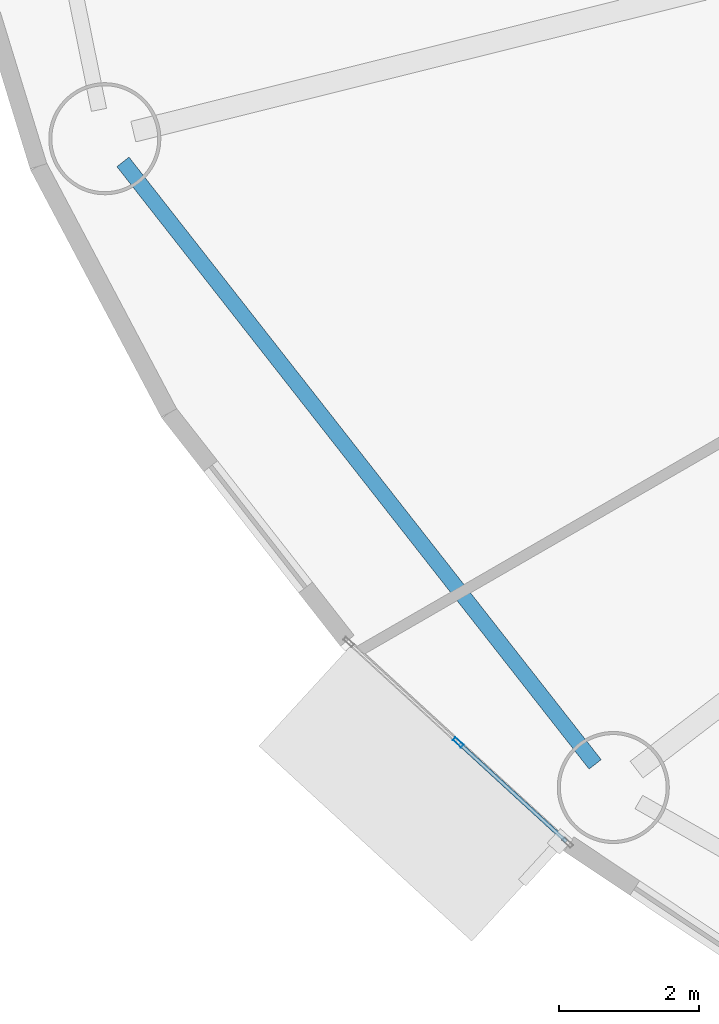
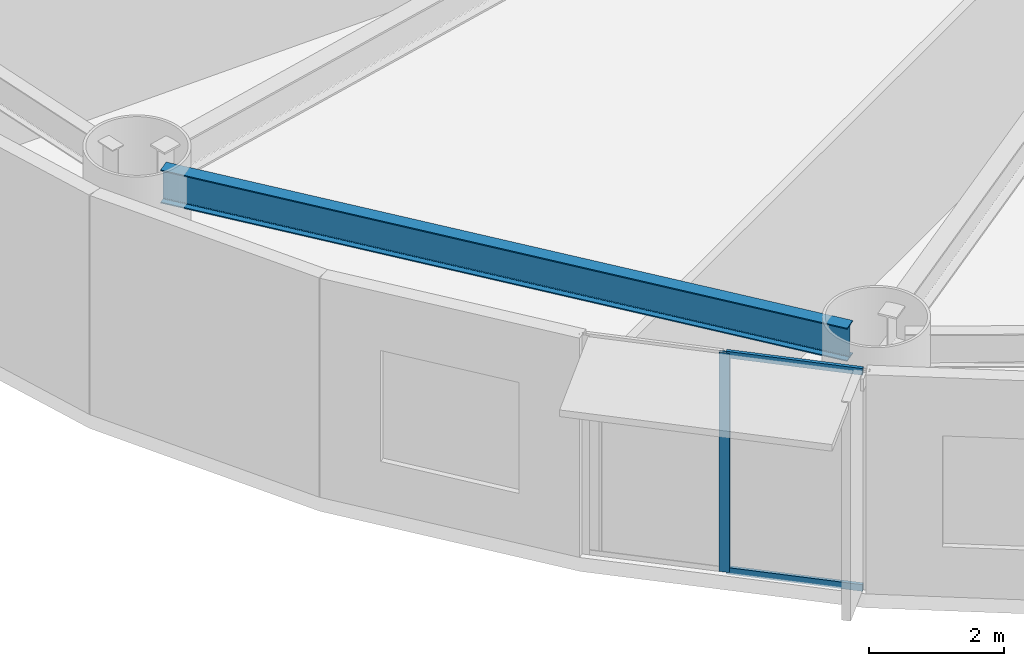
# One storey, part 5 of 28: 3 members, 1 beam, 1 element without a shape of its own.
"""IFC4 building model written with IfcOpenShell, lengths in metres."""

import ifcopenshell
import ifcopenshell.guid

model = None  # the IFC model being written
_history = None  # IfcOwnerHistory: only IFC2X3 demands one
_inside = {}  # id of a spatial element -> (the spatial element, [elements in it])
_under = {}  # id of a project, library or spatial element -> (it, [spatial elements below it])
_declared = {}  # id of a project -> (the project, [libraries it declares])
_typed = {}  # id of a type object -> (the type object, [elements of that type])
_made_of = {}  # id of a material, layer set ... -> (it, [elements and type objects made of it])


def new_model(schema):
    """Start an empty IFC model of exactly this schema.

    Asked for "IFC4X3", IfcOpenShell would pick the latest addendum, in which some entities
    have other attributes; the version numbers below select the first issue.
    IFC2X3 requires an IfcOwnerHistory on every rooted entity: one is made here for all.
    """
    global model, _history
    if schema == "IFC4X3":
        model = ifcopenshell.file(schema_version=(4, 3, 0, 0))
    else:
        model = ifcopenshell.file(schema=schema)
    _inside.clear()
    _under.clear()
    _declared.clear()
    _typed.clear()
    _made_of.clear()
    _history = None
    if model.schema == "IFC2X3":
        org = make("IfcOrganization", Name="unknown")
        user = make(
            "IfcPersonAndOrganization",
            ThePerson=make("IfcPerson", FamilyName="unknown"),
            TheOrganization=org,
        )
        app = make(
            "IfcApplication",
            ApplicationDeveloper=org,
            Version="unknown",
            ApplicationFullName="unknown",
            ApplicationIdentifier="unknown",
        )
        _history = make(
            "IfcOwnerHistory",
            OwningUser=user,
            OwningApplication=app,
            ChangeAction="ADDED",
            CreationDate=0,
        )
    return model


def make(cls, **values):
    """One entity of the class cls with the attributes given. An attribute that is None is left unset."""
    return model.create_entity(
        cls, **{name: value for name, value in values.items() if value is not None}
    )


def rooted(cls, **values):
    """An entity with a GlobalId (a new one), such as an element, a storey or a relation."""
    return make(cls, GlobalId=ifcopenshell.guid.new(), OwnerHistory=_history, **values)


def si_unit(unit_type, name, prefix=None):
    """IfcSIUnit, for example si_unit("LENGTHUNIT", "METRE", prefix="MILLI")."""
    return make("IfcSIUnit", UnitType=unit_type, Prefix=prefix, Name=name)


def assignment(units):
    """IfcUnitAssignment: the units of a project."""
    return None if units is None else make("IfcUnitAssignment", Units=units)


def point(xyz):
    """IfcCartesianPoint."""
    return None if xyz is None else make("IfcCartesianPoint", Coordinates=xyz)


def direction(xyz):
    """IfcDirection."""
    return None if xyz is None else make("IfcDirection", DirectionRatios=xyz)


def frame(location, z_axis=None, x_axis=None):
    """IfcAxis2Placement3D, a coordinate frame: its origin and axes. An axis left out is left unset."""
    return make(
        "IfcAxis2Placement3D",
        Location=point(location),
        Axis=direction(z_axis),
        RefDirection=direction(x_axis),
    )


def frame_2d(location, x_axis=None):
    """IfcAxis2Placement2D, a coordinate frame in the plane: its origin and x axis."""
    return make(
        "IfcAxis2Placement2D", Location=point(location), RefDirection=direction(x_axis)
    )


def origin():
    """The frame at (0, 0, 0) with its axes left unset."""
    return frame((0.0, 0.0, 0.0))


def origin_2d():
    """The frame at (0, 0) in the plane with its x axis left unset."""
    return frame_2d((0.0, 0.0))


def place(relative_to, where):
    """IfcLocalPlacement: puts the frame where relative to a parent placement (None: the world)."""
    return make(
        "IfcLocalPlacement", PlacementRelTo=relative_to, RelativePlacement=where
    )


def context(
    kind, dimensions, precision=None, world=None, true_north=None, identifier=None
):
    """IfcGeometricRepresentationContext, for example the 3D "Model" context."""
    return make(
        "IfcGeometricRepresentationContext",
        ContextIdentifier=identifier,
        ContextType=kind,
        CoordinateSpaceDimension=dimensions,
        Precision=precision,
        WorldCoordinateSystem=world,
        TrueNorth=true_north,
    )


def subcontext(parent, identifier, kind, view, scale=None):
    """IfcGeometricRepresentationSubContext, for example "Body" below "Model"."""
    return make(
        "IfcGeometricRepresentationSubContext",
        ContextIdentifier=identifier,
        ContextType=kind,
        ParentContext=parent,
        TargetScale=scale,
        TargetView=view,
    )


def project(units=None, contexts=None):
    """IfcProject with its units and contexts."""
    return rooted(
        "IfcProject",
        Name="project",
        RepresentationContexts=contexts,
        UnitsInContext=assignment(units),
    )


def spatial(cls, under=None, at=None, **own):
    """A site, building, storey or space (cls), placed at a placement, below another one or the project."""
    s = rooted(cls, ObjectPlacement=at, **own)
    if under is not None:
        _under.setdefault(under.id(), (under, []))[1].append(s)
    return s


def profile(cls, at=None, kind="AREA", **sizes):
    """A parametric profile (cls). Its sizes go by their IFC names, for example OverallWidth=200.0."""
    return make(cls, ProfileType=kind, Position=at, **sizes)


def hollow_rectangle(**sizes):
    """IfcRectangleHollowProfileDef."""
    return profile("IfcRectangleHollowProfileDef", **sizes)


def i_section(**sizes):
    """IfcIShapeProfileDef."""
    return profile("IfcIShapeProfileDef", **sizes)


def extrude(swept, where, along, depth):
    """IfcExtrudedAreaSolid: the profile swept, set in the frame where, extruded along a direction by depth."""
    return make(
        "IfcExtrudedAreaSolid",
        SweptArea=swept,
        Position=where,
        ExtrudedDirection=direction(along),
        Depth=depth,
    )


def shape(context_of_items, identifier, shape_type, items):
    """IfcShapeRepresentation: the items that make up one representation, for example the "Body"."""
    return make(
        "IfcShapeRepresentation",
        ContextOfItems=context_of_items,
        RepresentationIdentifier=identifier,
        RepresentationType=shape_type,
        Items=items,
    )


def source(mapping_origin, context_of_items, identifier, shape_type, items):
    """IfcRepresentationMap: a shape defined once, which mapped items show again and again."""
    return make(
        "IfcRepresentationMap",
        MappingOrigin=mapping_origin,
        MappedRepresentation=shape(context_of_items, identifier, shape_type, items),
    )


def transform(
    local_origin,
    x_axis=None,
    y_axis=None,
    z_axis=None,
    scale=None,
    scale2=None,
    scale3=None,
    uniform=True,
):
    """IfcCartesianTransformationOperator3D, or its non-uniform kind. x_axis, y_axis, z_axis: its Axis1, 2, 3."""
    if uniform:
        return make(
            "IfcCartesianTransformationOperator3D",
            Axis1=direction(x_axis),
            Axis2=direction(y_axis),
            LocalOrigin=point(local_origin),
            Scale=scale,
            Axis3=direction(z_axis),
        )
    return make(
        "IfcCartesianTransformationOperator3DnonUniform",
        Axis1=direction(x_axis),
        Axis2=direction(y_axis),
        LocalOrigin=point(local_origin),
        Scale=scale,
        Axis3=direction(z_axis),
        Scale2=scale2,
        Scale3=scale3,
    )


def mapped(mapping_source, mapping_target):
    """IfcMappedItem: shows the shape of a source again, moved by a transform."""
    return make(
        "IfcMappedItem", MappingSource=mapping_source, MappingTarget=mapping_target
    )


def material(Name=None, Category=None):
    """IfcMaterial."""
    return make("IfcMaterial", Name=Name, Category=Category)


def layer(
    of_material, thickness, ventilated=None, Name=None, Category=None, Priority=None
):
    """IfcMaterialLayer: one layer of a wall or slab, of a material (None: an air gap)."""
    return make(
        "IfcMaterialLayer",
        Material=of_material,
        LayerThickness=thickness,
        IsVentilated=ventilated,
        Name=Name,
        Category=Category,
        Priority=Priority,
    )


def layer_set(layers, Name=None):
    """IfcMaterialLayerSet."""
    return make("IfcMaterialLayerSet", MaterialLayers=layers, LayerSetName=Name)


def material_profile(
    of_material, cross_section, Name=None, Category=None, Priority=None
):
    """IfcMaterialProfile: a cross section and its material."""
    return make(
        "IfcMaterialProfile",
        Name=Name,
        Material=of_material,
        Profile=cross_section,
        Priority=Priority,
        Category=Category,
    )


def profile_set(profiles, Name=None, composite=None):
    """IfcMaterialProfileSet."""
    return make(
        "IfcMaterialProfileSet",
        Name=Name,
        MaterialProfiles=profiles,
        CompositeProfile=composite,
    )


def made_of(thing, what):
    """Note that an element or type object is made of a material, layer set ...; save() writes the relation."""
    if what is not None:
        _made_of.setdefault(what.id(), (what, []))[1].append(thing)
    return thing


def type_object(cls, material=None, **own):
    """A type object (cls), such as IfcWallType, which elements share."""
    return made_of(rooted(cls, **own), material)


def element(
    cls,
    number,
    at=None,
    inside=None,
    cuts=None,
    type_object=None,
    material=None,
    context=None,
    identifier="Body",
    shape_type=None,
    held_by="IfcProductDefinitionShape",
    body=None,
    shapes=None,
    **own,
):
    """One element of the class cls, such as IfcWall. Its Tag is "e" and its number.

    at: its placement. inside: the storey or other place that contains it. cuts: it is an
    opening in that element (IfcRelVoidsElement). A single representation is given by context,
    identifier, shape_type and body (its items); several are given by shapes. held_by: the class
    of the entity that holds the representations. save() writes the other relations.
    """
    e = rooted(cls, Tag="e%d" % number, ObjectPlacement=at, **own)
    if body is not None:
        shapes = [shape(context, identifier, shape_type, body)]
    if shapes is not None:
        e.Representation = make(held_by, Representations=shapes)
    if inside is not None:
        _inside.setdefault(inside.id(), (inside, []))[1].append(e)
    if cuts is not None:
        rooted(
            "IfcRelVoidsElement", RelatingBuildingElement=cuts, RelatedOpeningElement=e
        )
    if type_object is not None:
        _typed.setdefault(type_object.id(), (type_object, []))[1].append(e)
    return made_of(e, material)


def aggregate(whole, parts):
    """IfcRelAggregates: a whole, such as a stair, and the parts it consists of."""
    return rooted("IfcRelAggregates", RelatingObject=whole, RelatedObjects=parts)


def save(model, path):
    """Write the relations noted so far, then the file.

    IfcRelAggregates (storeys below a building ...), IfcRelContainedInSpatialStructure (elements
    in a storey), IfcRelDefinesByType, IfcRelAssociatesMaterial and IfcRelDeclares: one each for
    every whole, place, type object, material and project.
    """
    for whole, parts in _under.values():
        aggregate(whole, parts)
    for where, things in _inside.values():
        rooted(
            "IfcRelContainedInSpatialStructure",
            RelatedElements=things,
            RelatingStructure=where,
        )
    for kind, things in _typed.values():
        rooted("IfcRelDefinesByType", RelatedObjects=things, RelatingType=kind)
    for what, things in _made_of.values():
        rooted("IfcRelAssociatesMaterial", RelatedObjects=things, RelatingMaterial=what)
    for by, libraries in _declared.values():
        rooted("IfcRelDeclares", RelatingContext=by, RelatedDefinitions=libraries)
    model.write(path)


model = new_model("IFC4")

# Units and contexts
model_context = context("Model", 3, precision=1e-05, world=origin(), true_north=direction((0.0, 1.0)))
body_context = subcontext(model_context, "Body", "Model", "MODEL_VIEW")
ifc_project = project(units=[si_unit("LENGTHUNIT", "METRE"), si_unit("AREAUNIT", "SQUARE_METRE"), si_unit("VOLUMEUNIT", "CUBIC_METRE"), si_unit("PLANEANGLEUNIT", "RADIAN"), si_unit("MASSUNIT", "GRAM", prefix="KILO")], contexts=[model_context])

# Site, building, storey
site_placement = place(None, origin())
site = spatial("IfcSite", under=ifc_project, at=site_placement, CompositionType="ELEMENT")
building_placement = place(site_placement, origin())
building = spatial("IfcBuilding", under=site, at=building_placement, Name="Linh Dai School and Residence Tower", CompositionType="ELEMENT")
storey_placement = place(building_placement, frame((0.0, 0.0, 57.60009765625)))
storey = spatial("IfcBuildingStorey", under=building, at=storey_placement, Name="L13", CompositionType="ELEMENT", Elevation=57.60009765625)

# Beam
ifc_material_1 = material(Name="Structural Steel S355JR", Category="steel")
ifc_material_profile_1 = material_profile(ifc_material_1, i_section(OverallWidth=0.219970703125, OverallDepth=0.60009765625, WebThickness=0.011962890625, FlangeThickness=0.01904296875, FilletRadius=0.02392578125, at=origin_2d()), Name="IPE 600")
ifc_profile_set_1 = profile_set([ifc_material_profile_1], Name="Structural Steel S355JR")
beam_type = type_object("IfcBeamType", Name="BM-RB60", PredefinedType="BEAM", material=ifc_profile_set_1)
beam_placement = place(storey_placement, frame((7.648193359375, 19.560791015625, 3.64990234375), z_axis=(0.616878670407, -0.787058260866, 0.0), x_axis=(0.787058260866, 0.616878670407, 0.0)))
element("IfcBeam", 1, at=beam_placement, inside=storey, type_object=beam_type, Name="L13 Perimeter Elliptical Ring Beam 10", PredefinedType="BEAM", context=body_context, shape_type="SweptSolid", body=[
    extrude(i_section(OverallWidth=0.219970703125, OverallDepth=0.60009765625, WebThickness=0.011962890625, FlangeThickness=0.01904296875, FilletRadius=0.02392578125, at=origin_2d()), origin(), (0.0, 0.0, 1.0), 10.926025390625),
])

# Curtain wall, members
ifc_material_2 = material(Name="Aluminium Anodised Curtain Wall", Category="aluminium")
ifc_layer = layer(ifc_material_2, 0.159912109375)
ifc_layer_set = layer_set([ifc_layer], Name="Aluminium Anodised Curtain Wall")
curtain_wall_type = type_object("IfcCurtainWallType", Name="CW-SYS-3", PredefinedType="USERDEFINED", material=ifc_layer_set)
curtain_wall_placement = place(storey_placement, origin())
curtain_wall = element("IfcCurtainWall", 2, at=curtain_wall_placement, inside=storey, type_object=curtain_wall_type, Name="L13 CW3 Curtain Wall 25", ObjectType="RIBBON CURTAIN WALL", PredefinedType="USERDEFINED")
ifc_material_3 = material(Name="Aluminium Alloy 6063-T6", Category="aluminium")
ifc_material_profile_2 = material_profile(ifc_material_3, hollow_rectangle(XDim=0.054931640625, YDim=0.1201171875, WallThickness=0.00390625, at=origin_2d()), Name="RHS 120x55x4")
ifc_profile_set_2 = profile_set([ifc_material_profile_2], Name="Aluminium Alloy 6063-T6")
member_type_1 = type_object("IfcMemberType", Name="CW-SYS-3-TRN", PredefinedType="USERDEFINED", material=ifc_profile_set_2)
shared_shape_1 = source(origin(), body_context, "Body", "SweptSolid", [
    extrude(hollow_rectangle(XDim=0.054931640625, YDim=0.1201171875, WallThickness=0.00390625, at=origin_2d()), origin(), (0.0, 0.0, 1.0), 2.064453125),
])
member_1_placement = place(storey_placement, frame((13.974853515625, 9.861083984375, 0.02734375), z_axis=(-0.737129594686, 0.675751404466, 0.0), x_axis=(-0.675751404466, -0.737129594686, 0.0)))
member_1 = element("IfcMember", 3, at=member_1_placement, type_object=member_type_1, Name="CW3 transom 1.1", ObjectType="TRANSOM", PredefinedType="USERDEFINED", context=body_context, shape_type="MappedRepresentation", body=[
    mapped(shared_shape_1, transform((0.0, 0.0, 0.0), x_axis=(1.0, 0.0, 0.0), y_axis=(0.0, 1.0, 0.0), z_axis=(0.0, 0.0, 1.0), scale=1.0)),
])
member_2_placement = place(storey_placement, frame((13.974853515625, 9.861083984375, 3.92236328125), z_axis=(-0.737129594686, 0.675751404466, 0.0), x_axis=(-0.675751404466, -0.737129594686, 0.0)))
member_2 = element("IfcMember", 4, at=member_2_placement, type_object=member_type_1, Name="CW3 transom 1.2", ObjectType="TRANSOM", PredefinedType="USERDEFINED", context=body_context, shape_type="MappedRepresentation", body=[
    mapped(shared_shape_1, transform((0.0, 0.0, 0.0), x_axis=(1.0, 0.0, 0.0), y_axis=(0.0, 1.0, 0.0), z_axis=(0.0, 0.0, 1.0), scale=1.0)),
])
ifc_material_profile_3 = material_profile(ifc_material_3, hollow_rectangle(XDim=0.054931640625, YDim=0.159912109375, WallThickness=0.00390625, at=origin_2d()), Name="RHS 160x55x4")
ifc_profile_set_3 = profile_set([ifc_material_profile_3], Name="Aluminium Alloy 6063-T6")
member_type_2 = type_object("IfcMemberType", Name="CW-SYS-3-MUL", PredefinedType="MULLION", material=ifc_profile_set_3)
shared_shape_2 = source(origin(), body_context, "Body", "SweptSolid", [
    extrude(hollow_rectangle(XDim=0.054931640625, YDim=0.159912109375, WallThickness=0.00390625, at=origin_2d()), origin(), (0.0, 0.0, 1.0), 3.949951171875),
])
member_3_placement = place(storey_placement, frame((12.432861328125, 11.274658203125, 0.0), z_axis=(0.0, 0.0, 1.0), x_axis=(-0.675769237268, -0.737113246362, 0.0)))
member_3 = element("IfcMember", 5, at=member_3_placement, type_object=member_type_2, Name="CW3 mullion 2", PredefinedType="MULLION", context=body_context, shape_type="MappedRepresentation", body=[
    mapped(shared_shape_2, transform((0.0, 0.0, 0.0), x_axis=(1.0, 0.0, 0.0), y_axis=(0.0, 1.0, 0.0), z_axis=(0.0, 0.0, 1.0), scale=1.0)),
])
aggregate(curtain_wall, [member_3, member_1, member_2])

save(model, "model.ifc")
